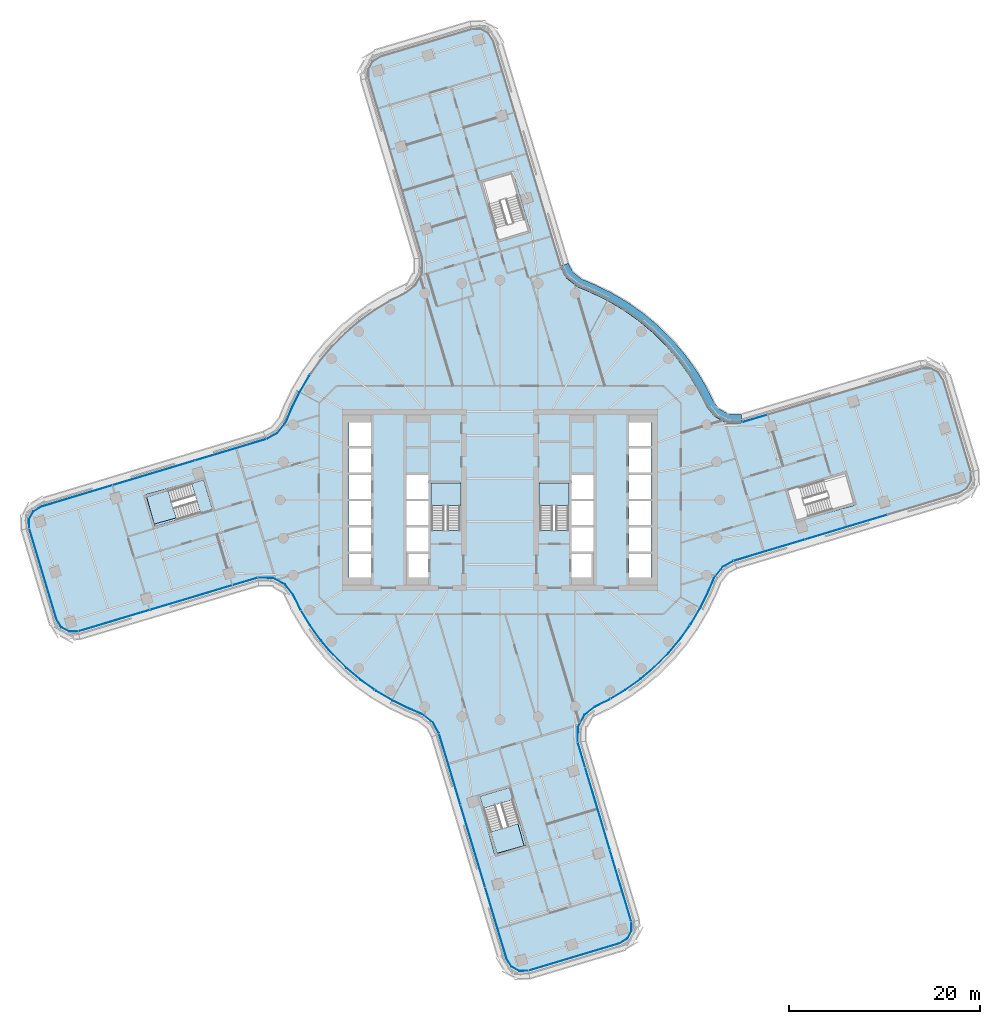
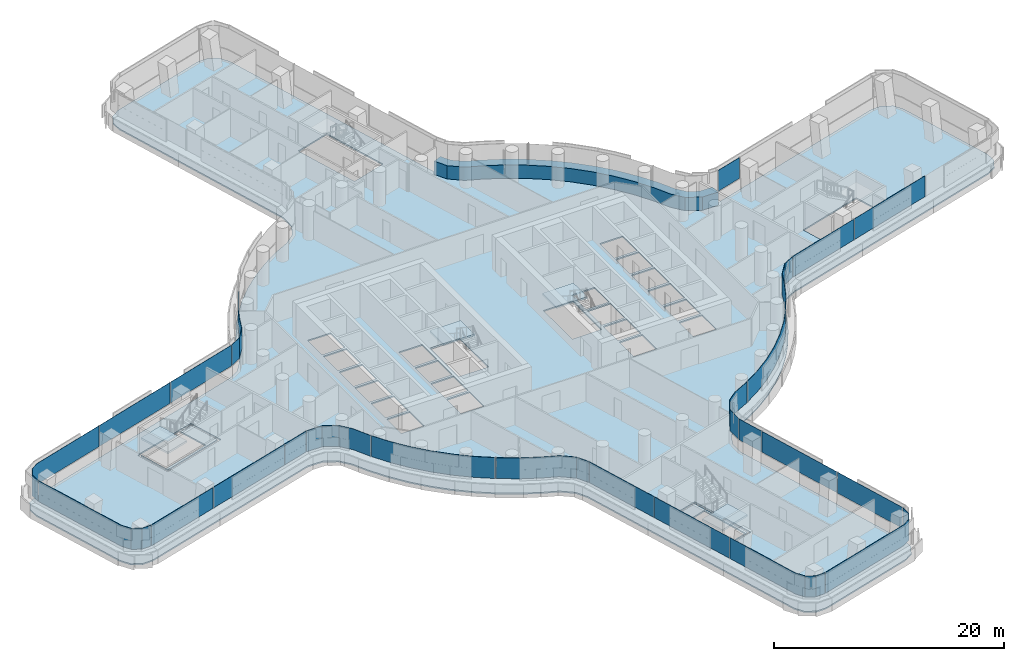
# One storey, part 16 of 32: 24 plates, 7 slabs, 1 member, 16 elements without a shape of their own.
"""IFC4 building model written with IfcOpenShell, lengths in metres."""

from ifc_helpers import new_model, si_unit, direction, frame, origin, place, context, subcontext, project, spatial, polyline, outline, extrude, material, layer, layer_set, type_object, element, aggregate, save


model = new_model("IFC4")

# Units and contexts
model_context = context("Model", 3, precision=1e-05, world=origin(), true_north=direction((0.0, 1.0)))
body_context = subcontext(model_context, "Body", "Model", "MODEL_VIEW")
ifc_project = project(units=[si_unit("LENGTHUNIT", "METRE"), si_unit("AREAUNIT", "SQUARE_METRE"), si_unit("VOLUMEUNIT", "CUBIC_METRE"), si_unit("PLANEANGLEUNIT", "RADIAN"), si_unit("MASSUNIT", "GRAM", prefix="KILO")], contexts=[model_context])

# Site, building, storey
site_placement = place(None, origin())
site = spatial("IfcSite", under=ifc_project, at=site_placement, CompositionType="ELEMENT")
building_placement = place(site_placement, origin())
building = spatial("IfcBuilding", under=site, at=building_placement, Name="Tamarind Cross Interchange Tower", CompositionType="ELEMENT")
storey_placement = place(building_placement, frame((0.0, 0.0, 94.75)))
storey = spatial("IfcBuildingStorey", under=building, at=storey_placement, Name="L22", CompositionType="ELEMENT", Elevation=94.75)

# Curtain wall, member
ifc_material_1 = material(Name="Aluminium 6063-T6", Category="aluminium")
ifc_layer_1 = layer(ifc_material_1, 0.159912109375)
ifc_layer_set_1 = layer_set([ifc_layer_1], Name="Aluminium 6063-T6")
curtain_wall_type = type_object("IfcCurtainWallType", Name="Office curtain wall, 9.0 m bays", PredefinedType="NOTDEFINED", material=ifc_layer_set_1)
curtain_wall_1_placement = place(storey_placement, origin())
curtain_wall_1 = element("IfcCurtainWall", 1, at=curtain_wall_1_placement, inside=storey, type_object=curtain_wall_type, Name="CWS-L22-14", PredefinedType="NOTDEFINED")
ifc_material_2 = material(Name="Aluminium and insulated spandrel panel", Category="aluminium")
member_type = type_object("IfcMemberType", Name="Floor-edge blade transom", PredefinedType="USERDEFINED", material=ifc_material_2)
member_placement = place(storey_placement, origin())
member = element("IfcMember", 2, at=member_placement, type_object=member_type, Name="CWT-L22-14", ObjectType="TRANSOM", PredefinedType="USERDEFINED", context=body_context, shape_type="SweptSolid", body=[
    extrude(outline(polyline([(25.339111328125, 8.027099609375), (23.72900390625, 8.05029296875), (22.3974609375, 8.760498046875), (21.550048828125, 9.83447265625), (20.791015625, 11.367431640625), (19.78125, 13.045654296875), (18.636474609375, 14.634521484375), (17.3642578125, 16.12353515625), (15.973388671875, 17.50244140625), (14.4736328125, 18.76171875), (12.874755859375, 19.892822265625), (11.188232421875, 20.88818359375), (9.421875, 21.7421875), (8.1220703125, 22.27734375), (6.907470703125, 23.235595703125), (6.27490234375, 24.3994140625), (7.110107421875, 24.747314453125), (7.610107421875, 23.82763671875), (8.580810546875, 23.061767578125), (9.78955078125, 22.564208984375), (11.613525390625, 21.68212890625), (13.3642578125, 20.64892578125), (15.023681640625, 19.474853515625), (16.580810546875, 18.167724609375), (18.0244140625, 16.736572265625), (19.344970703125, 15.19091796875), (20.533203125, 13.54150390625), (21.581298828125, 11.7998046875), (22.31494140625, 10.318115234375), (22.987060546875, 9.4658203125), (23.9599609375, 8.947021484375), (25.2138671875, 8.928955078125), (25.339111328125, 8.027099609375)])), origin(), (0.0, 0.0, 1.0), 1.39990234375),
])
aggregate(curtain_wall_1, [member])

# Slabs
ifc_material_3 = material(Name="Concrete C35", Category="concrete")
ifc_layer_2 = layer(ifc_material_3, 0.139892578125)
ifc_layer_set_2 = layer_set([ifc_layer_2], Name="Concrete C35")
slab_type_1 = type_object("IfcSlabType", Name="Composite slab 140 Concrete C35", PredefinedType="FLOOR", material=ifc_layer_set_2)
slab_1_placement = place(storey_placement, frame((0.0, 0.0, -0.139892578125)))
element("IfcSlab", 3, at=slab_1_placement, inside=storey, type_object=slab_type_1, Name="Floor slab L22", PredefinedType="FLOOR", context=body_context, shape_type="SweptSolid", body=[
    extrude(outline(polyline([(7.1416015625, 23.432861328125), (6.553466796875, 24.515380859375), (-0.521484375, 48.072509765625), (-1.06591796875, 48.953125), (-1.9775390625, 49.443603515625), (-3.01220703125, 49.41259765625), (-12.589599609375, 46.536376953125), (-13.470458984375, 45.991943359375), (-13.9609375, 45.080322265625), (-13.929931640625, 44.04541015625), (-8.32763671875, 25.297607421875), (-8.34912109375, 23.80615234375), (-8.99560546875, 22.593994140625), (-9.99560546875, 21.80517578125), (-11.511474609375, 21.054443359375), (-13.2109375, 20.031982421875), (-14.820068359375, 18.87255859375), (-16.327880859375, 17.584228515625), (-17.72412109375, 16.17578125), (-18.99951171875, 14.656982421875), (-20.14501953125, 13.0380859375), (-21.15283203125, 11.329833984375), (-22.01611328125, 9.54443359375), (-22.538818359375, 8.27490234375), (-23.432861328125, 7.1416015625), (-24.515380859375, 6.553466796875), (-48.072509765625, -0.521484375), (-48.953125, -1.06591796875), (-49.443603515625, -1.9775390625), (-49.41259765625, -3.01220703125), (-46.536376953125, -12.589599609375), (-45.991943359375, -13.470458984375), (-45.080322265625, -13.9609375), (-44.04541015625, -13.929931640625), (-25.297607421875, -8.32763671875), (-23.80615234375, -8.34912109375), (-22.593994140625, -8.99560546875), (-21.80517578125, -9.99560546875), (-21.054443359375, -11.511474609375), (-20.031982421875, -13.2109375), (-18.87255859375, -14.820068359375), (-17.584228515625, -16.327880859375), (-16.17578125, -17.72412109375), (-14.656982421875, -18.99951171875), (-13.0380859375, -20.14501953125), (-11.329833984375, -21.15283203125), (-9.54443359375, -22.01611328125), (-8.27490234375, -22.538818359375), (-7.1416015625, -23.432861328125), (-6.553466796875, -24.515380859375), (0.521484375, -48.072509765625), (1.06591796875, -48.953125), (1.9775390625, -49.443603515625), (3.01220703125, -49.41259765625), (12.589599609375, -46.536376953125), (13.470458984375, -45.991943359375), (13.9609375, -45.080322265625), (13.929931640625, -44.04541015625), (8.32763671875, -25.297607421875), (8.34912109375, -23.80615234375), (8.99560546875, -22.593994140625), (9.99560546875, -21.80517578125), (11.511474609375, -21.054443359375), (13.2109375, -20.031982421875), (14.820068359375, -18.87255859375), (16.327880859375, -17.584228515625), (17.72412109375, -16.17578125), (18.99951171875, -14.656982421875), (20.14501953125, -13.0380859375), (21.15283203125, -11.329833984375), (22.01611328125, -9.54443359375), (22.538818359375, -8.27490234375), (23.432861328125, -7.1416015625), (24.515380859375, -6.553466796875), (48.072509765625, 0.521484375), (48.953125, 1.06591796875), (49.443603515625, 1.9775390625), (49.41259765625, 3.01220703125), (46.536376953125, 12.589599609375), (45.991943359375, 13.470458984375), (45.080322265625, 13.9609375), (44.04541015625, 13.929931640625), (25.297607421875, 8.32763671875), (23.80615234375, 8.34912109375), (22.593994140625, 8.99560546875), (21.80517578125, 9.99560546875), (21.054443359375, 11.511474609375), (20.031982421875, 13.2109375), (18.87255859375, 14.820068359375), (17.584228515625, 16.327880859375), (16.17578125, 17.72412109375), (14.656982421875, 18.99951171875), (13.0380859375, 20.14501953125), (11.329833984375, 21.15283203125), (9.54443359375, 22.01611328125), (8.27490234375, 22.538818359375), (7.1416015625, 23.432861328125)]), holes=[polyline([(-13.5, -8.125), (-15.800048828125, -8.125), (-15.800048828125, -5.625), (-13.5, -5.625), (-13.5, -8.125)]), polyline([(-13.5, -5.375), (-15.800048828125, -5.375), (-15.800048828125, -2.875), (-13.5, -2.875), (-13.5, -5.375)]), polyline([(-7.5, -5.375), (-9.800048828125, -5.375), (-9.800048828125, -2.875), (-7.5, -2.875), (-7.5, -5.375)]), polyline([(-29.8154296875, -1.09423828125), (-36.232421875, -3.021484375), (-36.289794921875, -2.830078125), (-37.21044921875, 0.23486328125), (-37.267822265625, 0.42626953125), (-36.994873046875, 0.50830078125), (-37.010986328125, 0.566162109375), (-33.843505859375, 1.454833984375), (-30.85107421875, 2.353515625), (-30.79345703125, 2.162109375), (-29.873046875, -0.90283203125), (-29.8154296875, -1.09423828125)]), polyline([(-15.800048828125, -2.625), (-15.800048828125, -0.125), (-13.5, -0.125), (-13.5, -2.625), (-15.800048828125, -2.625)]), polyline([(-7.5, -2.625), (-9.800048828125, -2.625), (-9.800048828125, -0.125), (-7.5, -0.125), (-7.5, -2.625)]), polyline([(-13.5, 0.125), (-15.800048828125, 0.125), (-15.800048828125, 2.625), (-13.5, 2.625), (-13.5, 0.125)]), polyline([(-7.5, 0.125), (-9.800048828125, 0.125), (-9.800048828125, 2.625), (-7.5, 2.625), (-7.5, 0.125)]), polyline([(-13.5, 2.875), (-15.800048828125, 2.875), (-15.800048828125, 5.375), (-13.5, 5.375), (-13.5, 2.875)]), polyline([(-15.800048828125, 5.625), (-15.800048828125, 8.125), (-13.5, 8.125), (-13.5, 5.625), (-15.800048828125, 5.625)]), polyline([(3.021484375, -36.232421875), (2.830078125, -36.289794921875), (-0.23486328125, -37.21044921875), (-0.42626953125, -37.267822265625), (-0.50830078125, -36.994873046875), (-0.566162109375, -37.010986328125), (-1.454833984375, -33.843505859375), (-2.353515625, -30.85107421875), (-2.162109375, -30.79345703125), (0.90283203125, -29.873046875), (1.09423828125, -29.8154296875), (3.021484375, -36.232421875)]), polyline([(-9.800048828125, -8.125), (-9.800048828125, -5.625), (-7.5, -5.625), (-7.5, -8.125), (-9.800048828125, -8.125)]), polyline([(9.800048828125, -0.125), (9.800048828125, -2.625), (7.5, -2.625), (7.5, -0.125), (9.800048828125, -0.125)]), polyline([(-4.199951171875, 1.800048828125), (-4.199951171875, -3.18798828125), (-7.14990234375, -3.18798828125), (-7.14990234375, 1.800048828125), (-4.199951171875, 1.800048828125)]), polyline([(7.14990234375, 1.800048828125), (7.14990234375, -3.18798828125), (4.199951171875, -3.18798828125), (4.199951171875, 1.800048828125), (7.14990234375, 1.800048828125)]), polyline([(3.216552734375, 27.977783203125), (3.02490234375, 27.92041015625), (-0.039794921875, 26.999755859375), (-0.2314453125, 26.9423828125), (-2.15869140625, 33.359130859375), (-1.967041015625, 33.416748046875), (1.09765625, 34.337158203125), (1.289306640625, 34.394775390625), (1.371337890625, 34.12109375), (1.37646484375, 34.12255859375), (1.454833984375, 33.843505859375), (3.216552734375, 27.977783203125)]), polyline([(7.5, -5.625), (9.800048828125, -5.625), (9.800048828125, -8.125), (7.5, -8.125), (7.5, -5.625)]), polyline([(15.800048828125, -5.625), (15.800048828125, -8.125), (13.5, -8.125), (13.5, -5.625), (15.800048828125, -5.625)]), polyline([(9.800048828125, -2.875), (9.800048828125, -5.375), (7.5, -5.375), (7.5, -2.875), (9.800048828125, -2.875)]), polyline([(13.5, -2.875), (15.800048828125, -2.875), (15.800048828125, -5.375), (13.5, -5.375), (13.5, -2.875)]), polyline([(13.5, -0.125), (15.800048828125, -0.125), (15.800048828125, -2.625), (13.5, -2.625), (13.5, -0.125)]), polyline([(33.843505859375, -1.454833984375), (30.85107421875, -2.353515625), (30.79345703125, -2.162109375), (29.873046875, 0.90283203125), (29.8154296875, 1.09423828125), (36.232421875, 3.021484375), (36.289794921875, 2.830078125), (37.21044921875, -0.23486328125), (37.267822265625, -0.42626953125), (36.994873046875, -0.50830078125), (37.010986328125, -0.566162109375), (33.843505859375, -1.454833984375)]), polyline([(9.800048828125, 2.625), (9.800048828125, 0.125), (7.5, 0.125), (7.5, 2.625), (9.800048828125, 2.625)]), polyline([(15.800048828125, 2.625), (15.800048828125, 0.125), (13.5, 0.125), (13.5, 2.625), (15.800048828125, 2.625)]), polyline([(15.800048828125, 5.375), (15.800048828125, 2.875), (13.5, 2.875), (13.5, 5.375), (15.800048828125, 5.375)]), polyline([(15.800048828125, 8.125), (15.800048828125, 5.625), (13.5, 5.625), (13.5, 8.125), (15.800048828125, 8.125)])]), origin(), (0.0, 0.0, 1.0), 0.139892578125),
])
slab_2_placement = place(storey_placement, frame((0.0, 0.0, -0.139892578125)))
element("IfcSlab", 4, at=slab_2_placement, inside=storey, type_object=slab_type_1, Name="Floor slab L22", PredefinedType="FLOOR", context=body_context, shape_type="SweptSolid", body=[
    extrude(outline(polyline([(-37.018798828125, 0.292236328125), (-36.098388671875, -2.7724609375), (-30.064697265625, -0.960205078125), (-30.985107421875, 2.1044921875), (-32.16259765625, 1.750732421875), (-32.24169921875, 1.72705078125), (-31.3701171875, -1.1748046875), (-36.146484375, -2.514892578125), (-36.940673828125, 0.31591796875), (-37.018798828125, 0.292236328125)])), origin(), (0.0, 0.0, 1.0), 0.139892578125),
])
slab_3_placement = place(storey_placement, frame((0.0, 0.0, -0.139892578125)))
element("IfcSlab", 5, at=slab_3_placement, inside=storey, type_object=slab_type_1, Name="Floor slab L22", PredefinedType="FLOOR", context=body_context, shape_type="SweptSolid", body=[
    extrude(outline(polyline([(-0.292236328125, -37.018798828125), (2.7724609375, -36.098388671875), (0.960205078125, -30.064697265625), (-2.1044921875, -30.985107421875), (-1.750732421875, -32.16259765625), (-1.72705078125, -32.24169921875), (1.1748046875, -31.3701171875), (2.514892578125, -36.146484375), (-0.31591796875, -36.940673828125), (-0.292236328125, -37.018798828125)])), origin(), (0.0, 0.0, 1.0), 0.139892578125),
])

# Stair, slab
ifc_material_4 = material(Name="Exit stair")
stair_type = type_object("IfcStairType", Name="Exit stair", PredefinedType="HALF_TURN_STAIR", material=ifc_material_4)
stair_1_placement = place(storey_placement, origin())
stair_1 = element("IfcStair", 6, at=stair_1_placement, inside=storey, type_object=stair_type, Name="L22 exit stair ST1", PredefinedType="HALF_TURN_STAIR")
ifc_material_5 = material(Name="Concrete C40", Category="concrete")
ifc_layer_3 = layer(ifc_material_5, 0.199951171875)
ifc_layer_set_3 = layer_set([ifc_layer_3], Name="Concrete C40")
slab_type_2 = type_object("IfcSlabType", Name="Stair landing", PredefinedType="LANDING", material=ifc_layer_set_3)
slab_4_placement = place(storey_placement, frame((0.0, 0.0, 1.675048828125)))
slab_4 = element("IfcSlab", 7, at=slab_4_placement, type_object=slab_type_2, Name="ST1 landing 1", PredefinedType="LANDING", context=body_context, shape_type="SweptSolid", body=[
    extrude(outline(polyline([(-4.10009765625, -0.60009765625), (-4.10009765625, 1.800048828125), (-7.199951171875, 1.800048828125), (-7.199951171875, -0.60009765625), (-4.10009765625, -0.60009765625)])), origin(), (0.0, 0.0, 1.0), 0.199951171875),
])
aggregate(stair_1, [slab_4])

stair_2_placement = place(storey_placement, origin())
stair_2 = element("IfcStair", 8, at=stair_2_placement, inside=storey, type_object=stair_type, Name="L22 exit stair ST2", PredefinedType="HALF_TURN_STAIR")
slab_5_placement = place(storey_placement, frame((0.0, 0.0, 1.675048828125)))
slab_5 = element("IfcSlab", 9, at=slab_5_placement, type_object=slab_type_2, Name="ST2 landing 1", PredefinedType="LANDING", context=body_context, shape_type="SweptSolid", body=[
    extrude(outline(polyline([(7.199951171875, -0.60009765625), (7.199951171875, 1.800048828125), (4.10009765625, 1.800048828125), (4.10009765625, -0.60009765625), (7.199951171875, -0.60009765625)])), origin(), (0.0, 0.0, 1.0), 0.199951171875),
])
aggregate(stair_2, [slab_5])

stair_3_placement = place(storey_placement, origin())
stair_3 = element("IfcStair", 10, at=stair_3_placement, inside=storey, type_object=stair_type, Name="L22 exit stair ST5", PredefinedType="HALF_TURN_STAIR")
slab_6_placement = place(storey_placement, frame((0.0, 0.0, 1.675048828125)))
slab_6 = element("IfcSlab", 11, at=slab_6_placement, type_object=slab_type_2, Name="ST5 landing 1", PredefinedType="LANDING", context=body_context, shape_type="SweptSolid", body=[
    extrude(outline(polyline([(-34.708740234375, 0.986083984375), (-37.018798828125, 0.292236328125), (-36.098388671875, -2.7724609375), (-33.788330078125, -2.07861328125), (-34.708740234375, 0.986083984375)])), origin(), (0.0, 0.0, 1.0), 0.199951171875),
])
aggregate(stair_3, [slab_6])

stair_4_placement = place(storey_placement, origin())
stair_4 = element("IfcStair", 12, at=stair_4_placement, inside=storey, type_object=stair_type, Name="L22 exit stair ST6", PredefinedType="HALF_TURN_STAIR")
slab_7_placement = place(storey_placement, frame((0.0, 0.0, 1.675048828125)))
slab_7 = element("IfcSlab", 13, at=slab_7_placement, type_object=slab_type_2, Name="ST6 landing 1", PredefinedType="LANDING", context=body_context, shape_type="SweptSolid", body=[
    extrude(outline(polyline([(-0.986083984375, -34.708740234375), (-0.292236328125, -37.018798828125), (2.7724609375, -36.098388671875), (2.07861328125, -33.788330078125), (-0.986083984375, -34.708740234375)])), origin(), (0.0, 0.0, 1.0), 0.199951171875),
])
aggregate(stair_4, [slab_7])

# Curtain wall, plate
curtain_wall_2_placement = place(storey_placement, origin())
curtain_wall_2 = element("IfcCurtainWall", 14, at=curtain_wall_2_placement, inside=storey, type_object=curtain_wall_type, Name="CWS-L22-02", PredefinedType="NOTDEFINED")
ifc_material_6 = material(Name="Laminated low-e glass 8+1.52+8", Category="glass")
ifc_layer_4 = layer(ifc_material_6, 0.028076171875)
ifc_layer_set_4 = layer_set([ifc_layer_4], Name="Laminated low-e glass 8+1.52+8")
plate_type = type_object("IfcPlateType", Name="Vision panel CW1", PredefinedType="CURTAIN_PANEL", material=ifc_layer_set_4)
plate_1_placement = place(storey_placement, frame((0.0, 0.0, 1.39990234375)))
plate_1 = element("IfcPlate", 15, at=plate_1_placement, type_object=plate_type, Name="CWP-L22-02-02", PredefinedType="CURTAIN_PANEL", context=body_context, shape_type="SweptSolid", body=[
    extrude(outline(polyline([(-19.864013671875, 13.064453125), (-19.965087890625, 12.921630859375), (-20.9638671875, 11.228759765625), (-21.82080078125, 9.45703125), (-22.352294921875, 8.166015625), (-23.292236328125, 6.974609375), (-24.405029296875, 6.369873046875), (-24.41845703125, 6.39453125), (-23.310546875, 6.99658203125), (-22.376708984375, 8.18017578125), (-21.84619140625, 9.468505859375), (-20.98876953125, 11.241943359375), (-19.988525390625, 12.936767578125), (-19.88671875, 13.080810546875), (-19.864013671875, 13.064453125)])), origin(), (0.0, 0.0, 1.0), 2.210205078125),
])
aggregate(curtain_wall_2, [plate_1])

# Curtain wall, plates
curtain_wall_3_placement = place(storey_placement, origin())
curtain_wall_3 = element("IfcCurtainWall", 16, at=curtain_wall_3_placement, inside=storey, type_object=curtain_wall_type, Name="CWS-L22-03", PredefinedType="NOTDEFINED")
plate_2_placement = place(storey_placement, frame((0.0, 0.0, 1.39990234375)))
plate_2 = element("IfcPlate", 17, at=plate_2_placement, type_object=plate_type, Name="CWP-L22-03-00", PredefinedType="CURTAIN_PANEL", context=body_context, shape_type="SweptSolid", body=[
    extrude(outline(polyline([(-24.462890625, 6.345703125), (-31.850830078125, 4.126953125), (-31.85888671875, 4.15380859375), (-24.470947265625, 6.37255859375), (-24.462890625, 6.345703125)])), origin(), (0.0, 0.0, 1.0), 2.210205078125),
])
plate_3_placement = place(storey_placement, frame((0.0, 0.0, 1.39990234375)))
plate_3 = element("IfcPlate", 18, at=plate_3_placement, type_object=plate_type, Name="CWP-L22-03-01", PredefinedType="CURTAIN_PANEL", context=body_context, shape_type="SweptSolid", body=[
    extrude(outline(polyline([(-31.908447265625, 4.109619140625), (-40.46875, 1.53857421875), (-40.476806640625, 1.5654296875), (-31.91650390625, 4.136474609375), (-31.908447265625, 4.109619140625)])), origin(), (0.0, 0.0, 1.0), 2.210205078125),
])
plate_4_placement = place(storey_placement, frame((0.0, 0.0, 1.39990234375)))
plate_4 = element("IfcPlate", 19, at=plate_4_placement, type_object=plate_type, Name="CWP-L22-03-02", PredefinedType="CURTAIN_PANEL", context=body_context, shape_type="SweptSolid", body=[
    extrude(outline(polyline([(-40.526123046875, 1.521484375), (-47.98388671875, -0.718505859375), (-48.7919921875, -1.2177734375), (-49.22802734375, -2.0283203125), (-49.200439453125, -2.94970703125), (-49.228515625, -2.950439453125), (-49.25634765625, -2.021728515625), (-48.81298828125, -1.19775390625), (-47.99560546875, -0.692626953125), (-40.5341796875, 1.54833984375), (-40.526123046875, 1.521484375)])), origin(), (0.0, 0.0, 1.0), 2.210205078125),
])
aggregate(curtain_wall_3, [plate_2, plate_3, plate_4])

# Curtain wall, plate
curtain_wall_4_placement = place(storey_placement, origin())
curtain_wall_4 = element("IfcCurtainWall", 20, at=curtain_wall_4_placement, inside=storey, type_object=curtain_wall_type, Name="CWS-L22-04", PredefinedType="NOTDEFINED")
plate_5_placement = place(storey_placement, frame((0.0, 0.0, 1.39990234375)))
plate_5 = element("IfcPlate", 21, at=plate_5_placement, type_object=plate_type, Name="CWP-L22-04-00", PredefinedType="CURTAIN_PANEL", context=body_context, shape_type="SweptSolid", body=[
    extrude(outline(polyline([(-49.19140625, -3.004638671875), (-46.33935546875, -12.501220703125), (-45.840087890625, -13.30908203125), (-45.029541015625, -13.745361328125), (-44.108154296875, -13.7177734375), (-44.107177734375, -13.74560546875), (-45.0361328125, -13.7734375), (-45.85986328125, -13.330078125), (-46.365234375, -12.5126953125), (-49.21826171875, -3.0126953125), (-49.19140625, -3.004638671875)])), origin(), (0.0, 0.0, 1.0), 2.210205078125),
])
aggregate(curtain_wall_4, [plate_5])

# Curtain wall, plates
curtain_wall_5_placement = place(storey_placement, origin())
curtain_wall_5 = element("IfcCurtainWall", 22, at=curtain_wall_5_placement, inside=storey, type_object=curtain_wall_type, Name="CWS-L22-05", PredefinedType="NOTDEFINED")
plate_6_placement = place(storey_placement, frame((0.0, 0.0, 1.39990234375)))
plate_6 = element("IfcPlate", 23, at=plate_6_placement, type_object=plate_type, Name="CWP-L22-05-00", PredefinedType="CURTAIN_PANEL", context=body_context, shape_type="SweptSolid", body=[
    extrude(outline(polyline([(-44.052978515625, -13.708740234375), (-36.615478515625, -11.486328125), (-36.607421875, -11.51318359375), (-44.044921875, -13.735595703125), (-44.052978515625, -13.708740234375)])), origin(), (0.0, 0.0, 1.0), 2.210205078125),
])
plate_7_placement = place(storey_placement, frame((0.0, 0.0, 1.39990234375)))
plate_7 = element("IfcPlate", 24, at=plate_7_placement, type_object=plate_type, Name="CWP-L22-05-01", PredefinedType="CURTAIN_PANEL", context=body_context, shape_type="SweptSolid", body=[
    extrude(outline(polyline([(-36.55810546875, -11.46923828125), (-27.990234375, -8.908935546875), (-27.982177734375, -8.935791015625), (-36.550048828125, -11.49609375), (-36.55810546875, -11.46923828125)])), origin(), (0.0, 0.0, 1.0), 2.210205078125),
])
plate_8_placement = place(storey_placement, frame((0.0, 0.0, 1.39990234375)))
plate_8 = element("IfcPlate", 25, at=plate_8_placement, type_object=plate_type, Name="CWP-L22-05-02", PredefinedType="CURTAIN_PANEL", context=body_context, shape_type="SweptSolid", body=[
    extrude(outline(polyline([(-27.9326171875, -8.891845703125), (-25.358154296875, -8.12255859375), (-25.35009765625, -8.1494140625), (-27.924560546875, -8.918701171875), (-27.9326171875, -8.891845703125)])), origin(), (0.0, 0.0, 1.0), 2.210205078125),
])
aggregate(curtain_wall_5, [plate_6, plate_7, plate_8])

curtain_wall_6_placement = place(storey_placement, origin())
curtain_wall_6 = element("IfcCurtainWall", 26, at=curtain_wall_6_placement, inside=storey, type_object=curtain_wall_type, Name="CWS-L22-06", PredefinedType="NOTDEFINED")
plate_9_placement = place(storey_placement, frame((0.0, 0.0, 1.39990234375)))
plate_9 = element("IfcPlate", 27, at=plate_9_placement, type_object=plate_type, Name="CWP-L22-06-00", PredefinedType="CURTAIN_PANEL", context=body_context, shape_type="SweptSolid", body=[
    extrude(outline(polyline([(-25.295166015625, -8.11376953125), (-23.751220703125, -8.135986328125), (-22.45361328125, -8.827880859375), (-21.623291015625, -9.880615234375), (-20.866455078125, -11.40869140625), (-20.794189453125, -11.52880859375), (-20.818359375, -11.543212890625), (-20.89111328125, -11.422119140625), (-21.64697265625, -9.895751953125), (-22.47216796875, -8.849853515625), (-23.75830078125, -8.163818359375), (-25.29541015625, -8.141845703125), (-25.295166015625, -8.11376953125)])), origin(), (0.0, 0.0, 1.0), 2.210205078125),
])
plate_10_placement = place(storey_placement, frame((0.0, 0.0, 1.39990234375)))
plate_10 = element("IfcPlate", 28, at=plate_10_placement, type_object=plate_type, Name="CWP-L22-06-01", PredefinedType="CURTAIN_PANEL", context=body_context, shape_type="SweptSolid", body=[
    extrude(outline(polyline([(-20.763427734375, -11.580322265625), (-19.85302734375, -13.093017578125), (-18.7041015625, -14.687744140625), (-17.42724609375, -16.18212890625), (-16.031494140625, -17.56591796875), (-14.526123046875, -18.829833984375), (-13.113525390625, -19.829345703125), (-13.129638671875, -19.85205078125), (-14.543212890625, -18.85205078125), (-16.05029296875, -17.586669921875), (-17.44775390625, -16.201171875), (-18.72607421875, -14.705078125), (-19.87646484375, -13.1083984375), (-20.787353515625, -11.5947265625), (-20.763427734375, -11.580322265625)])), origin(), (0.0, 0.0, 1.0), 2.210205078125),
])
plate_11_placement = place(storey_placement, frame((0.0, 0.0, 1.39990234375)))
plate_11 = element("IfcPlate", 29, at=plate_11_placement, type_object=plate_type, Name="CWP-L22-06-02", PredefinedType="CURTAIN_PANEL", context=body_context, shape_type="SweptSolid", body=[
    extrude(outline(polyline([(-13.064453125, -19.864013671875), (-12.921630859375, -19.965087890625), (-11.228759765625, -20.9638671875), (-9.45703125, -21.82080078125), (-8.166015625, -22.352294921875), (-6.974609375, -23.292236328125), (-6.369873046875, -24.405029296875), (-6.39453125, -24.41845703125), (-6.99658203125, -23.310546875), (-8.18017578125, -22.376708984375), (-9.468505859375, -21.84619140625), (-11.241943359375, -20.98876953125), (-12.936767578125, -19.988525390625), (-13.080810546875, -19.88671875), (-13.064453125, -19.864013671875)])), origin(), (0.0, 0.0, 1.0), 2.210205078125),
])
aggregate(curtain_wall_6, [plate_9, plate_10, plate_11])

curtain_wall_7_placement = place(storey_placement, origin())
curtain_wall_7 = element("IfcCurtainWall", 30, at=curtain_wall_7_placement, inside=storey, type_object=curtain_wall_type, Name="CWS-L22-07", PredefinedType="NOTDEFINED")
plate_12_placement = place(storey_placement, frame((0.0, 0.0, 1.39990234375)))
plate_12 = element("IfcPlate", 31, at=plate_12_placement, type_object=plate_type, Name="CWP-L22-07-00", PredefinedType="CURTAIN_PANEL", context=body_context, shape_type="SweptSolid", body=[
    extrude(outline(polyline([(-6.345703125, -24.462890625), (-4.126953125, -31.850830078125), (-4.15380859375, -31.85888671875), (-6.37255859375, -24.470947265625), (-6.345703125, -24.462890625)])), origin(), (0.0, 0.0, 1.0), 2.210205078125),
])
plate_13_placement = place(storey_placement, frame((0.0, 0.0, 1.39990234375)))
plate_13 = element("IfcPlate", 32, at=plate_13_placement, type_object=plate_type, Name="CWP-L22-07-01", PredefinedType="CURTAIN_PANEL", context=body_context, shape_type="SweptSolid", body=[
    extrude(outline(polyline([(-4.109619140625, -31.908447265625), (-1.53857421875, -40.46875), (-1.5654296875, -40.476806640625), (-4.136474609375, -31.91650390625), (-4.109619140625, -31.908447265625)])), origin(), (0.0, 0.0, 1.0), 2.210205078125),
])
plate_14_placement = place(storey_placement, frame((0.0, 0.0, 1.39990234375)))
plate_14 = element("IfcPlate", 33, at=plate_14_placement, type_object=plate_type, Name="CWP-L22-07-02", PredefinedType="CURTAIN_PANEL", context=body_context, shape_type="SweptSolid", body=[
    extrude(outline(polyline([(-1.521484375, -40.526123046875), (0.718505859375, -47.98388671875), (1.2177734375, -48.7919921875), (2.0283203125, -49.22802734375), (2.94970703125, -49.200439453125), (2.950439453125, -49.228515625), (2.021728515625, -49.25634765625), (1.19775390625, -48.81298828125), (0.692626953125, -47.99560546875), (-1.54833984375, -40.5341796875), (-1.521484375, -40.526123046875)])), origin(), (0.0, 0.0, 1.0), 2.210205078125),
])
aggregate(curtain_wall_7, [plate_12, plate_13, plate_14])

# Curtain wall, plate
curtain_wall_8_placement = place(storey_placement, origin())
curtain_wall_8 = element("IfcCurtainWall", 34, at=curtain_wall_8_placement, inside=storey, type_object=curtain_wall_type, Name="CWS-L22-08", PredefinedType="NOTDEFINED")
plate_15_placement = place(storey_placement, frame((0.0, 0.0, 1.39990234375)))
plate_15 = element("IfcPlate", 35, at=plate_15_placement, type_object=plate_type, Name="CWP-L22-08-00", PredefinedType="CURTAIN_PANEL", context=body_context, shape_type="SweptSolid", body=[
    extrude(outline(polyline([(3.004638671875, -49.19140625), (12.501220703125, -46.33935546875), (13.30908203125, -45.840087890625), (13.745361328125, -45.029541015625), (13.7177734375, -44.108154296875), (13.74560546875, -44.107177734375), (13.7734375, -45.0361328125), (13.330078125, -45.85986328125), (12.5126953125, -46.365234375), (3.0126953125, -49.21826171875), (3.004638671875, -49.19140625)])), origin(), (0.0, 0.0, 1.0), 2.210205078125),
])
aggregate(curtain_wall_8, [plate_15])

# Curtain wall, plates
curtain_wall_9_placement = place(storey_placement, origin())
curtain_wall_9 = element("IfcCurtainWall", 36, at=curtain_wall_9_placement, inside=storey, type_object=curtain_wall_type, Name="CWS-L22-09", PredefinedType="NOTDEFINED")
plate_16_placement = place(storey_placement, frame((0.0, 0.0, 1.39990234375)))
plate_16 = element("IfcPlate", 37, at=plate_16_placement, type_object=plate_type, Name="CWP-L22-09-00", PredefinedType="CURTAIN_PANEL", context=body_context, shape_type="SweptSolid", body=[
    extrude(outline(polyline([(13.708740234375, -44.052978515625), (11.486328125, -36.615478515625), (11.51318359375, -36.607421875), (13.735595703125, -44.044921875), (13.708740234375, -44.052978515625)])), origin(), (0.0, 0.0, 1.0), 2.210205078125),
])
plate_17_placement = place(storey_placement, frame((0.0, 0.0, 1.39990234375)))
plate_17 = element("IfcPlate", 38, at=plate_17_placement, type_object=plate_type, Name="CWP-L22-09-01", PredefinedType="CURTAIN_PANEL", context=body_context, shape_type="SweptSolid", body=[
    extrude(outline(polyline([(11.46923828125, -36.55810546875), (8.908935546875, -27.990234375), (8.935791015625, -27.982177734375), (11.49609375, -36.550048828125), (11.46923828125, -36.55810546875)])), origin(), (0.0, 0.0, 1.0), 2.210205078125),
])
plate_18_placement = place(storey_placement, frame((0.0, 0.0, 1.39990234375)))
plate_18 = element("IfcPlate", 39, at=plate_18_placement, type_object=plate_type, Name="CWP-L22-09-02", PredefinedType="CURTAIN_PANEL", context=body_context, shape_type="SweptSolid", body=[
    extrude(outline(polyline([(8.891845703125, -27.9326171875), (8.12255859375, -25.358154296875), (8.1494140625, -25.35009765625), (8.918701171875, -27.924560546875), (8.891845703125, -27.9326171875)])), origin(), (0.0, 0.0, 1.0), 2.210205078125),
])
aggregate(curtain_wall_9, [plate_16, plate_17, plate_18])

curtain_wall_10_placement = place(storey_placement, origin())
curtain_wall_10 = element("IfcCurtainWall", 40, at=curtain_wall_10_placement, inside=storey, type_object=curtain_wall_type, Name="CWS-L22-10", PredefinedType="NOTDEFINED")
plate_19_placement = place(storey_placement, frame((0.0, 0.0, 1.39990234375)))
plate_19 = element("IfcPlate", 41, at=plate_19_placement, type_object=plate_type, Name="CWP-L22-10-00", PredefinedType="CURTAIN_PANEL", context=body_context, shape_type="SweptSolid", body=[
    extrude(outline(polyline([(8.11376953125, -25.295166015625), (8.135986328125, -23.751220703125), (8.827880859375, -22.45361328125), (9.880615234375, -21.623291015625), (11.40869140625, -20.866455078125), (11.52880859375, -20.794189453125), (11.543212890625, -20.818359375), (11.422119140625, -20.89111328125), (9.895751953125, -21.64697265625), (8.849853515625, -22.47216796875), (8.163818359375, -23.75830078125), (8.141845703125, -25.29541015625), (8.11376953125, -25.295166015625)])), origin(), (0.0, 0.0, 1.0), 2.210205078125),
])
plate_20_placement = place(storey_placement, frame((0.0, 0.0, 1.39990234375)))
plate_20 = element("IfcPlate", 42, at=plate_20_placement, type_object=plate_type, Name="CWP-L22-10-01", PredefinedType="CURTAIN_PANEL", context=body_context, shape_type="SweptSolid", body=[
    extrude(outline(polyline([(11.580322265625, -20.763427734375), (13.093017578125, -19.85302734375), (14.687744140625, -18.7041015625), (16.18212890625, -17.42724609375), (17.56591796875, -16.031494140625), (18.829833984375, -14.526123046875), (19.829345703125, -13.113525390625), (19.85205078125, -13.129638671875), (18.85205078125, -14.543212890625), (17.586669921875, -16.05029296875), (16.201171875, -17.44775390625), (14.705078125, -18.72607421875), (13.1083984375, -19.87646484375), (11.5947265625, -20.787353515625), (11.580322265625, -20.763427734375)])), origin(), (0.0, 0.0, 1.0), 2.210205078125),
])
plate_21_placement = place(storey_placement, frame((0.0, 0.0, 1.39990234375)))
plate_21 = element("IfcPlate", 43, at=plate_21_placement, type_object=plate_type, Name="CWP-L22-10-02", PredefinedType="CURTAIN_PANEL", context=body_context, shape_type="SweptSolid", body=[
    extrude(outline(polyline([(19.864013671875, -13.064453125), (19.965087890625, -12.921630859375), (20.9638671875, -11.228759765625), (21.82080078125, -9.45703125), (22.352294921875, -8.166015625), (23.292236328125, -6.974609375), (24.405029296875, -6.369873046875), (24.41845703125, -6.39453125), (23.310546875, -6.99658203125), (22.376708984375, -8.18017578125), (21.84619140625, -9.468505859375), (20.98876953125, -11.241943359375), (19.988525390625, -12.936767578125), (19.88671875, -13.080810546875), (19.864013671875, -13.064453125)])), origin(), (0.0, 0.0, 1.0), 2.210205078125),
])
aggregate(curtain_wall_10, [plate_19, plate_20, plate_21])

curtain_wall_11_placement = place(storey_placement, origin())
curtain_wall_11 = element("IfcCurtainWall", 44, at=curtain_wall_11_placement, inside=storey, type_object=curtain_wall_type, Name="CWS-L22-11", PredefinedType="NOTDEFINED")
plate_22_placement = place(storey_placement, frame((0.0, 0.0, 1.39990234375)))
plate_22 = element("IfcPlate", 45, at=plate_22_placement, type_object=plate_type, Name="CWP-L22-11-00", PredefinedType="CURTAIN_PANEL", context=body_context, shape_type="SweptSolid", body=[
    extrude(outline(polyline([(24.462890625, -6.345703125), (31.850830078125, -4.126953125), (31.85888671875, -4.15380859375), (24.470947265625, -6.37255859375), (24.462890625, -6.345703125)])), origin(), (0.0, 0.0, 1.0), 2.210205078125),
])
plate_23_placement = place(storey_placement, frame((0.0, 0.0, 1.39990234375)))
plate_23 = element("IfcPlate", 46, at=plate_23_placement, type_object=plate_type, Name="CWP-L22-11-01", PredefinedType="CURTAIN_PANEL", context=body_context, shape_type="SweptSolid", body=[
    extrude(outline(polyline([(31.908447265625, -4.109619140625), (40.46875, -1.53857421875), (40.476806640625, -1.5654296875), (31.91650390625, -4.136474609375), (31.908447265625, -4.109619140625)])), origin(), (0.0, 0.0, 1.0), 2.210205078125),
])
aggregate(curtain_wall_11, [plate_22, plate_23])

# Curtain wall, plate
curtain_wall_12_placement = place(storey_placement, origin())
curtain_wall_12 = element("IfcCurtainWall", 47, at=curtain_wall_12_placement, inside=storey, type_object=curtain_wall_type, Name="CWS-L22-13", PredefinedType="NOTDEFINED")
plate_24_placement = place(storey_placement, frame((0.0, 0.0, 1.39990234375)))
plate_24 = element("IfcPlate", 48, at=plate_24_placement, type_object=plate_type, Name="CWP-L22-13-02", PredefinedType="CURTAIN_PANEL", context=body_context, shape_type="SweptSolid", body=[
    extrude(outline(polyline([(27.9326171875, 8.891845703125), (25.358154296875, 8.12255859375), (25.35009765625, 8.1494140625), (27.924560546875, 8.918701171875), (27.9326171875, 8.891845703125)])), origin(), (0.0, 0.0, 1.0), 2.210205078125),
])
aggregate(curtain_wall_12, [plate_24])

save(model, "model.ifc")
